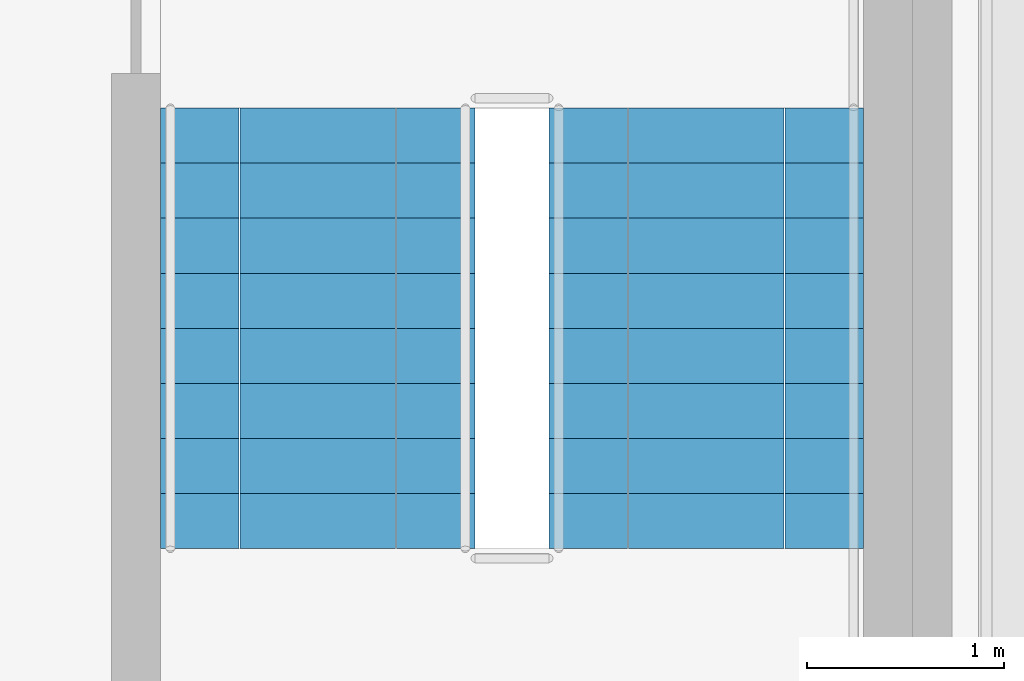
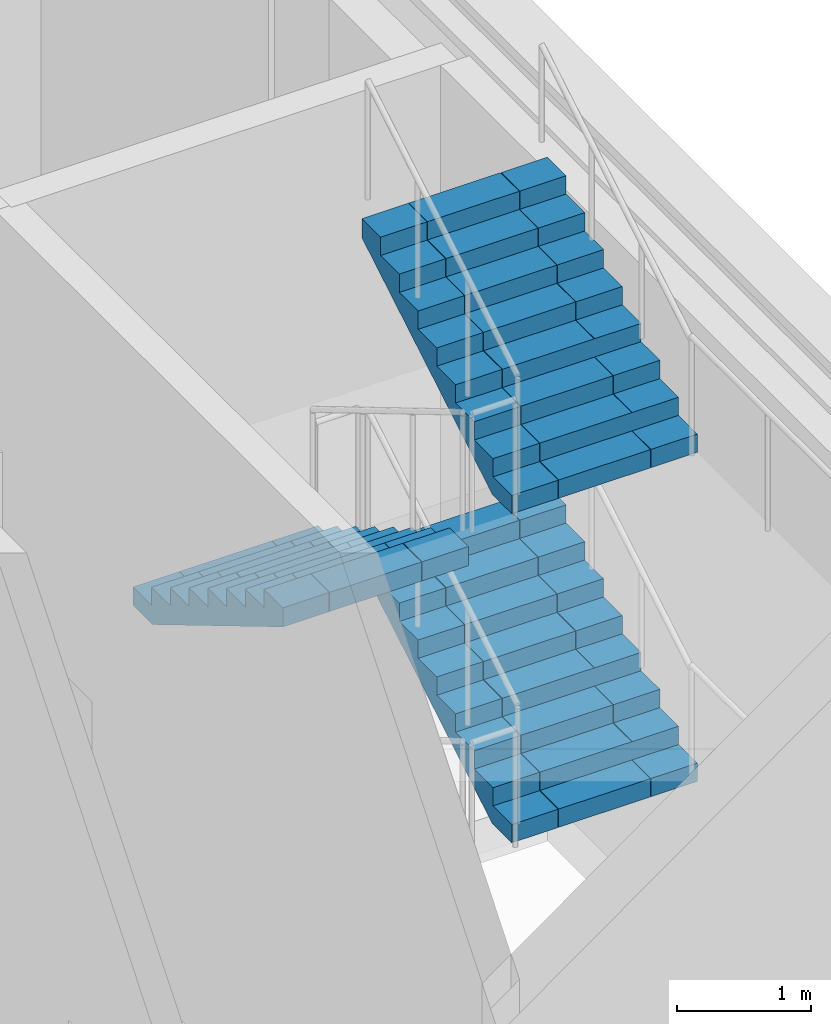
# One storey, part 11 of 14: 3 stair flights, 1 element without a shape of its own.
"""IFC4 building model written with IfcOpenShell, lengths in metres."""

from ifc_helpers import new_model, si_unit, direction, frame, origin, place, context, subcontext, project, spatial, polyline, outline, extrude, material, type_object, element, aggregate, save


model = new_model("IFC4")

# Units and contexts
model_context = context("Model", 3, precision=1e-05, world=origin(), true_north=direction((0.0, 1.0)))
body_context = subcontext(model_context, "Body", "Model", "MODEL_VIEW")
ifc_project = project(units=[si_unit("LENGTHUNIT", "METRE"), si_unit("AREAUNIT", "SQUARE_METRE"), si_unit("VOLUMEUNIT", "CUBIC_METRE"), si_unit("PLANEANGLEUNIT", "RADIAN"), si_unit("MASSUNIT", "GRAM", prefix="KILO")], contexts=[model_context])

# Site, building, storey
site_placement = place(None, origin())
site = spatial("IfcSite", under=ifc_project, at=site_placement, CompositionType="ELEMENT")
building_placement = place(site_placement, origin())
building = spatial("IfcBuilding", under=site, at=building_placement, Name="Corbelhall Arena Tower", CompositionType="ELEMENT")
storey_placement = place(building_placement, frame((0.0, 0.0, 120.0)))
storey = spatial("IfcBuildingStorey", under=building, at=storey_placement, Name="L22", CompositionType="ELEMENT", Elevation=120.0)

# Stair, stair flights
ifc_material = material(Name="Concrete C40/50", Category="concrete")
stair_type = type_object("IfcStairType", Name="IN-ST-TOWER", PredefinedType="HALF_TURN_STAIR", material=ifc_material)
stair_placement = place(storey_placement, origin())
stair = element("IfcStair", 1, at=stair_placement, inside=storey, type_object=stair_type, Name="L22 Exit stair SD2", PredefinedType="HALF_TURN_STAIR")
stair_flight_type = type_object("IfcStairFlightType", Name="IN-SFL-RC", PredefinedType="STRAIGHT", material=ifc_material)
stair_flight_1_placement = place(storey_placement, frame((38.89990234375, 2.784912109375, 1.5), z_axis=(0.0, 0.0, 1.0), x_axis=(0.0, 1.0, 0.0)))
stair_flight_1 = element("IfcStairFlight", 2, at=stair_flight_1_placement, type_object=stair_flight_type, Name="SD2 flight 2", NumberOfRisers=9, NumberOfTreads=8, PredefinedType="STRAIGHT", RiserHeight=0.166666667, TreadLength=0.28, context=body_context, shape_type="SweptSolid", body=[
    extrude(outline(polyline([(0.0, 0.0), (0.0, 0.166748046875), (0.280029296875, 0.166748046875), (0.280029296875, 0.333251953125), (0.56005859375, 0.333251953125), (0.56005859375, 0.5), (0.840087890625, 0.5), (0.840087890625, 0.666748046875), (1.1201171875, 0.666748046875), (1.1201171875, 0.833251953125), (1.39990234375, 0.833251953125), (1.39990234375, 1.0), (1.679931640625, 1.0), (1.679931640625, 1.166748046875), (1.9599609375, 1.166748046875), (1.9599609375, 1.333251953125), (2.239990234375, 1.333251953125), (2.239990234375, 1.5), (2.239990234375, 1.158935546875), (0.29296875, 0.0), (0.0, 0.0)])), frame((0.0, 0.800048828125, 0.0), z_axis=(0.0, -1.0, 0.0), x_axis=(1.0, 0.0, 0.0)), (0.0, 0.0, 1.0), 0.39990234375),
    extrude(outline(polyline([(0.0, 0.0), (0.0, 0.166748046875), (0.280029296875, 0.166748046875), (0.280029296875, 0.333251953125), (0.56005859375, 0.333251953125), (0.56005859375, 0.5), (0.840087890625, 0.5), (0.840087890625, 0.666748046875), (1.1201171875, 0.666748046875), (1.1201171875, 0.833251953125), (1.39990234375, 0.833251953125), (1.39990234375, 1.0), (1.679931640625, 1.0), (1.679931640625, 1.166748046875), (1.9599609375, 1.166748046875), (1.9599609375, 1.333251953125), (2.239990234375, 1.333251953125), (2.239990234375, 1.5), (2.239990234375, 1.158935546875), (0.29296875, 0.0), (0.0, 0.0)])), frame((0.0, 0.39599609375, 0.0), z_axis=(0.0, -1.0, 0.0), x_axis=(1.0, 0.0, 0.0)), (0.0, 0.0, 1.0), 0.7919921875),
    extrude(outline(polyline([(0.0, 0.0), (0.0, 0.166748046875), (0.280029296875, 0.166748046875), (0.280029296875, 0.333251953125), (0.56005859375, 0.333251953125), (0.56005859375, 0.5), (0.840087890625, 0.5), (0.840087890625, 0.666748046875), (1.1201171875, 0.666748046875), (1.1201171875, 0.833251953125), (1.39990234375, 0.833251953125), (1.39990234375, 1.0), (1.679931640625, 1.0), (1.679931640625, 1.166748046875), (1.9599609375, 1.166748046875), (1.9599609375, 1.333251953125), (2.239990234375, 1.333251953125), (2.239990234375, 1.5), (2.239990234375, 1.158935546875), (0.29296875, 0.0), (0.0, 0.0)])), frame((0.0, -0.39990234375, 0.0), z_axis=(0.0, -1.0, 0.0), x_axis=(1.0, 0.0, 0.0)), (0.0, 0.0, 1.0), 0.39990234375),
])
stair_flight_2_placement = place(storey_placement, frame((36.925048828125, 5.02490234375, 3.0), z_axis=(0.0, 0.0, 1.0), x_axis=(0.0, -1.0, 0.0)))
stair_flight_2 = element("IfcStairFlight", 3, at=stair_flight_2_placement, type_object=stair_flight_type, Name="SD2 flight 3", NumberOfRisers=9, NumberOfTreads=8, PredefinedType="STRAIGHT", RiserHeight=0.166666667, TreadLength=0.28, context=body_context, shape_type="SweptSolid", body=[
    extrude(outline(polyline([(0.0, 0.0), (0.0, 0.166748046875), (0.280029296875, 0.166748046875), (0.280029296875, 0.333251953125), (0.56005859375, 0.333251953125), (0.56005859375, 0.5), (0.840087890625, 0.5), (0.840087890625, 0.666748046875), (1.1201171875, 0.666748046875), (1.1201171875, 0.833251953125), (1.39990234375, 0.833251953125), (1.39990234375, 1.0), (1.679931640625, 1.0), (1.679931640625, 1.166748046875), (1.9599609375, 1.166748046875), (1.9599609375, 1.333251953125), (2.239990234375, 1.333251953125), (2.239990234375, 1.5), (2.239990234375, 1.158935546875), (0.29296875, 0.0), (0.0, 0.0)])), frame((0.0, 0.800048828125, 0.0), z_axis=(0.0, -1.0, 0.0), x_axis=(1.0, 0.0, 0.0)), (0.0, 0.0, 1.0), 0.39990234375),
    extrude(outline(polyline([(0.0, 0.0), (0.0, 0.166748046875), (0.280029296875, 0.166748046875), (0.280029296875, 0.333251953125), (0.56005859375, 0.333251953125), (0.56005859375, 0.5), (0.840087890625, 0.5), (0.840087890625, 0.666748046875), (1.1201171875, 0.666748046875), (1.1201171875, 0.833251953125), (1.39990234375, 0.833251953125), (1.39990234375, 1.0), (1.679931640625, 1.0), (1.679931640625, 1.166748046875), (1.9599609375, 1.166748046875), (1.9599609375, 1.333251953125), (2.239990234375, 1.333251953125), (2.239990234375, 1.5), (2.239990234375, 1.158935546875), (0.29296875, 0.0), (0.0, 0.0)])), frame((0.0, 0.39599609375, 0.0), z_axis=(0.0, -1.0, 0.0), x_axis=(1.0, 0.0, 0.0)), (0.0, 0.0, 1.0), 0.7919921875),
    extrude(outline(polyline([(0.0, 0.0), (0.0, 0.166748046875), (0.280029296875, 0.166748046875), (0.280029296875, 0.333251953125), (0.56005859375, 0.333251953125), (0.56005859375, 0.5), (0.840087890625, 0.5), (0.840087890625, 0.666748046875), (1.1201171875, 0.666748046875), (1.1201171875, 0.833251953125), (1.39990234375, 0.833251953125), (1.39990234375, 1.0), (1.679931640625, 1.0), (1.679931640625, 1.166748046875), (1.9599609375, 1.166748046875), (1.9599609375, 1.333251953125), (2.239990234375, 1.333251953125), (2.239990234375, 1.5), (2.239990234375, 1.158935546875), (0.29296875, 0.0), (0.0, 0.0)])), frame((0.0, -0.39990234375, 0.0), z_axis=(0.0, -1.0, 0.0), x_axis=(1.0, 0.0, 0.0)), (0.0, 0.0, 1.0), 0.39990234375),
])
stair_flight_3_placement = place(storey_placement, frame((38.89990234375, 2.784912109375, 4.5), z_axis=(0.0, 0.0, 1.0), x_axis=(0.0, 1.0, 0.0)))
stair_flight_3 = element("IfcStairFlight", 4, at=stair_flight_3_placement, type_object=stair_flight_type, Name="SD2 flight 4", NumberOfRisers=9, NumberOfTreads=8, PredefinedType="STRAIGHT", RiserHeight=0.166666667, TreadLength=0.28, context=body_context, shape_type="SweptSolid", body=[
    extrude(outline(polyline([(0.0, 0.0), (0.0, 0.166748046875), (0.280029296875, 0.166748046875), (0.280029296875, 0.333251953125), (0.56005859375, 0.333251953125), (0.56005859375, 0.5), (0.840087890625, 0.5), (0.840087890625, 0.666748046875), (1.1201171875, 0.666748046875), (1.1201171875, 0.833251953125), (1.39990234375, 0.833251953125), (1.39990234375, 1.0), (1.679931640625, 1.0), (1.679931640625, 1.166748046875), (1.9599609375, 1.166748046875), (1.9599609375, 1.333251953125), (2.239990234375, 1.333251953125), (2.239990234375, 1.5), (2.239990234375, 1.158935546875), (0.29296875, 0.0), (0.0, 0.0)])), frame((0.0, 0.800048828125, 0.0), z_axis=(0.0, -1.0, 0.0), x_axis=(1.0, 0.0, 0.0)), (0.0, 0.0, 1.0), 0.39990234375),
    extrude(outline(polyline([(0.0, 0.0), (0.0, 0.166748046875), (0.280029296875, 0.166748046875), (0.280029296875, 0.333251953125), (0.56005859375, 0.333251953125), (0.56005859375, 0.5), (0.840087890625, 0.5), (0.840087890625, 0.666748046875), (1.1201171875, 0.666748046875), (1.1201171875, 0.833251953125), (1.39990234375, 0.833251953125), (1.39990234375, 1.0), (1.679931640625, 1.0), (1.679931640625, 1.166748046875), (1.9599609375, 1.166748046875), (1.9599609375, 1.333251953125), (2.239990234375, 1.333251953125), (2.239990234375, 1.5), (2.239990234375, 1.158935546875), (0.29296875, 0.0), (0.0, 0.0)])), frame((0.0, 0.39599609375, 0.0), z_axis=(0.0, -1.0, 0.0), x_axis=(1.0, 0.0, 0.0)), (0.0, 0.0, 1.0), 0.7919921875),
    extrude(outline(polyline([(0.0, 0.0), (0.0, 0.166748046875), (0.280029296875, 0.166748046875), (0.280029296875, 0.333251953125), (0.56005859375, 0.333251953125), (0.56005859375, 0.5), (0.840087890625, 0.5), (0.840087890625, 0.666748046875), (1.1201171875, 0.666748046875), (1.1201171875, 0.833251953125), (1.39990234375, 0.833251953125), (1.39990234375, 1.0), (1.679931640625, 1.0), (1.679931640625, 1.166748046875), (1.9599609375, 1.166748046875), (1.9599609375, 1.333251953125), (2.239990234375, 1.333251953125), (2.239990234375, 1.5), (2.239990234375, 1.158935546875), (0.29296875, 0.0), (0.0, 0.0)])), frame((0.0, -0.39990234375, 0.0), z_axis=(0.0, -1.0, 0.0), x_axis=(1.0, 0.0, 0.0)), (0.0, 0.0, 1.0), 0.39990234375),
])
aggregate(stair, [stair_flight_1, stair_flight_2, stair_flight_3])

save(model, "model.ifc")
